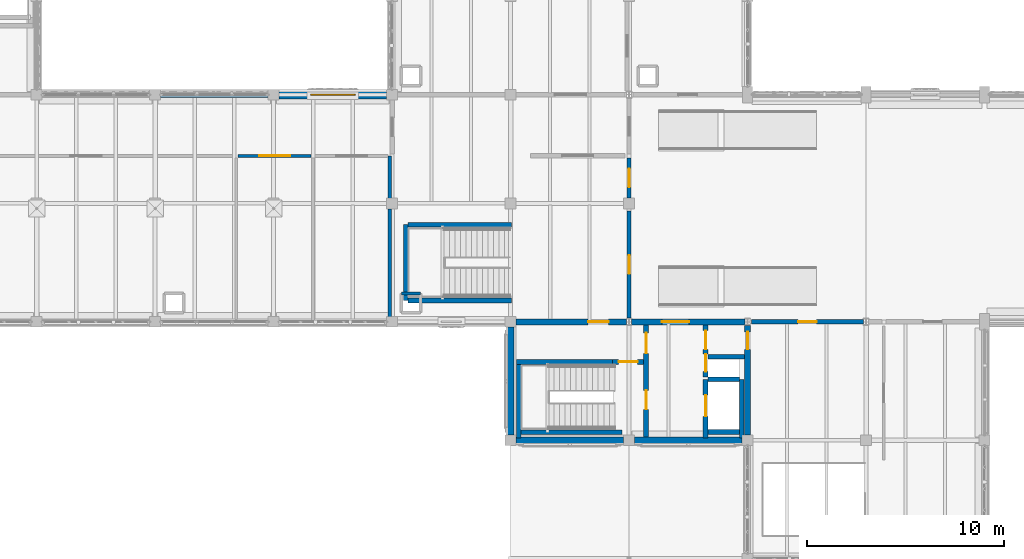
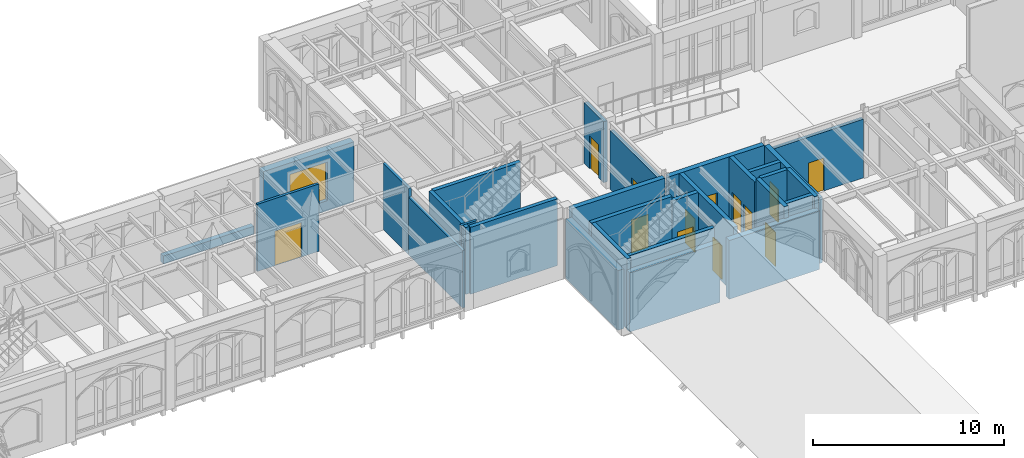
# One storey, part 76 of 108: 29 walls, 13 doors, 1 window, 14 openings.
"""IFC4 building model written with IfcOpenShell, lengths in metres."""

from ifc_helpers import new_model, si_unit, direction, frame, frame_2d, origin, place, context, subcontext, project, spatial, rectangle, extrude, material, layer, layer_set, type_object, element, fill, save


model = new_model("IFC4")

# Units and contexts
model_context = context("Model", 3, precision=1e-05, world=origin(), true_north=direction((0.0, 1.0)))
body_context = subcontext(model_context, "Body", "Model", "MODEL_VIEW")
ifc_project = project(units=[si_unit("LENGTHUNIT", "METRE"), si_unit("AREAUNIT", "SQUARE_METRE"), si_unit("VOLUMEUNIT", "CUBIC_METRE"), si_unit("PLANEANGLEUNIT", "RADIAN"), si_unit("MASSUNIT", "GRAM", prefix="KILO")], contexts=[model_context])

# Site, building, storey
site_placement = place(None, origin())
site = spatial("IfcSite", under=ifc_project, at=site_placement, CompositionType="ELEMENT")
building_placement = place(site_placement, origin())
building = spatial("IfcBuilding", under=site, at=building_placement, Name="Cumevento Cable Car Station", CompositionType="ELEMENT")
storey_placement = place(building_placement, frame((0.0, 0.0, 13.5)))
storey = spatial("IfcBuildingStorey", under=building, at=storey_placement, Name="L04", CompositionType="ELEMENT", Elevation=13.5)

# Walls
ifc_material_1 = material(Name="Gnaisse Facoidal Stone Ashlar 85 MPa", Category="masonry")
ifc_layer_1 = layer(ifc_material_1, 0.294921875)
ifc_layer_set_1 = layer_set([ifc_layer_1], Name="Gnaisse Facoidal Stone Ashlar 85 MPa")
wall_type_1 = type_object("IfcWallType", Name="Exterior Envelope Wall EW-295 295", PredefinedType="SOLIDWALL", material=ifc_layer_set_1)
wall_1_placement = place(storey_placement, frame((40.27490234375, 56.5, 0.0), z_axis=(0.0, 0.0, 1.0), x_axis=(1.0, 0.0, 0.0)))
element("IfcWall", 1, at=wall_1_placement, inside=storey, type_object=wall_type_1, Name="Exterior Sill Curb Wall EW-295 L04 #320", PredefinedType="SOLIDWALL", context=body_context, shape_type="SweptSolid", body=[
    extrude(rectangle(XDim=5.4501953125, YDim=0.294921875, at=frame_2d((2.72509765625, 0.0))), origin(), (0.0, 0.0, 1.0), 0.52001953125),
])
ifc_material_2 = material(Name="Concrete C40/50", Category="concrete")
ifc_layer_2 = layer(ifc_material_2, 0.35498046875)
ifc_layer_set_2 = layer_set([ifc_layer_2], Name="Concrete C40/50")
wall_type_2 = type_object("IfcWallType", Name="Exterior Envelope Wall EW-355 355", PredefinedType="SOLIDWALL", material=ifc_layer_set_2)
wall_2_placement = place(storey_placement, frame((63.72509765625, 39.0, 0.0), z_axis=(0.0, 0.0, 1.0), x_axis=(-1.0, 0.0, 0.0)))
element("IfcWall", 2, at=wall_2_placement, inside=storey, type_object=wall_type_2, Name="Exterior Wall EW-355 L04 #297", PredefinedType="SOLIDWALL", context=body_context, shape_type="SweptSolid", body=[
    extrude(rectangle(XDim=5.4501953125, YDim=0.35498046875, at=frame_2d((2.72509765625, 0.0))), origin(), (0.0, 0.0, 1.0), 3.791015625),
])
wall_3_placement = place(storey_placement, frame((69.72509765625, 39.0, 0.0), z_axis=(0.0, 0.0, 1.0), x_axis=(-1.0, 0.0, 0.0)))
element("IfcWall", 3, at=wall_3_placement, inside=storey, type_object=wall_type_2, Name="Exterior Wall EW-355 L04 #298", PredefinedType="SOLIDWALL", context=body_context, shape_type="SweptSolid", body=[
    extrude(rectangle(XDim=5.4501953125, YDim=0.35498046875, at=frame_2d((2.72509765625, 0.0))), origin(), (0.0, 0.0, 1.0), 3.740966796875),
])
wall_4_placement = place(storey_placement, frame((58.0, 39.27490234375, 0.0), z_axis=(0.0, 0.0, 1.0), x_axis=(0.0, 1.0, 0.0)))
element("IfcWall", 4, at=wall_4_placement, inside=storey, type_object=wall_type_2, Name="Exterior Wall EW-355 L04 #299", PredefinedType="SOLIDWALL", context=body_context, shape_type="SweptSolid", body=[
    extrude(rectangle(XDim=5.4501953125, YDim=0.35498046875, at=frame_2d((2.72509765625, 0.0))), origin(), (0.0, 0.0, 1.0), 3.797119140625),
])

# Wall, opening, window
ifc_material_3 = material(Name="Gnaisse Facoidal Stone Ashlar 85 MPa", Category="masonry")
ifc_layer_3 = layer(ifc_material_3, 0.4150390625)
ifc_layer_set_3 = layer_set([ifc_layer_3], Name="Gnaisse Facoidal Stone Ashlar 85 MPa")
wall_type_3 = type_object("IfcWallType", Name="Exterior Envelope Wall EW-415 415", PredefinedType="SOLIDWALL", material=ifc_layer_set_3)
wall_5_placement = place(storey_placement, frame((46.27490234375, 56.5, 0.0), z_axis=(0.0, 0.0, 1.0), x_axis=(1.0, 0.0, 0.0)))
wall_5 = element("IfcWall", 5, at=wall_5_placement, inside=storey, type_object=wall_type_3, Name="Exterior Wall EW-415 L04 #322", PredefinedType="SOLIDWALL", context=body_context, shape_type="SweptSolid", body=[
    extrude(rectangle(XDim=5.4501953125, YDim=0.4150390625, at=frame_2d((2.72509765625, 0.0))), origin(), (0.0, 0.0, 1.0), 3.843017578125),
])
opening_1_placement = place(wall_5_placement, frame((1.60009765625, 0.0, 0.64990234375)))
opening_1 = element("IfcOpeningElement", 6, at=opening_1_placement, cuts=wall_5, Name="Opening WN-L04-087", PredefinedType="OPENING", context=body_context, shape_type="SweptSolid", body=[
    extrude(rectangle(XDim=2.25, YDim=2.449951171875, at=frame_2d((1.125, 1.22509765625))), frame((0.0, 0.217529296875, 0.0), z_axis=(0.0, -1.0, 0.0), x_axis=(1.0, 0.0, 0.0)), (0.0, 0.0, 1.0), 0.43505859375),
])
ifc_material_4 = material(Name="Anodised Bronze Aluminium & Laminated Solar Glass", Category="aluminium")
window_type = type_object("IfcWindowType", Name="Lancet Window WN-15 2250x2450", PartitioningType="DOUBLE_PANEL_VERTICAL", PredefinedType="WINDOW", material=ifc_material_4)
window_placement = place(opening_1_placement, origin())
window = element("IfcWindow", 7, at=window_placement, inside=storey, type_object=window_type, Name="Lancet Window WN-L04-087 (WN-15)", OverallHeight=2.449951171875, OverallWidth=2.25, PartitioningType="SINGLE_PANEL", PredefinedType="WINDOW", context=body_context, shape_type="SweptSolid", body=[
    extrude(rectangle(XDim=2.25, YDim=2.449951171875, at=frame_2d((1.125, 1.22509765625))), frame((0.0, 0.030029296875, 0.0), z_axis=(0.0, -1.0, 0.0), x_axis=(1.0, 0.0, 0.0)), (0.0, 0.0, 1.0), 0.06005859375),
])
fill(opening_1, window)

# Wall, opening, door
ifc_material_5 = material(Name="Concrete C40/50", Category="concrete")
ifc_layer_4 = layer(ifc_material_5, 0.219970703125)
ifc_layer_set_4 = layer_set([ifc_layer_4], Name="Concrete C40/50")
wall_type_4 = type_object("IfcWallType", Name="Interior Partition FW-220 220", PredefinedType="SOLIDWALL", material=ifc_layer_set_4)
wall_6_placement = place(storey_placement, frame((70.199951171875, 45.0, 0.0), z_axis=(0.0, 0.0, 1.0), x_axis=(1.0, 0.0, 0.0)))
wall_6 = element("IfcWall", 8, at=wall_6_placement, inside=storey, type_object=wall_type_4, Name="Interior Wall FW-220 L04 #690", PredefinedType="SOLIDWALL", context=body_context, shape_type="SweptSolid", body=[
    extrude(rectangle(XDim=5.66943359375, YDim=0.219970703125, at=frame_2d((2.834716796875, 0.0))), origin(), (0.0, 0.0, 1.0), 3.7470703125),
])
opening_2_placement = place(wall_6_placement, frame((2.36474609375, 0.0, 0.0)))
opening_2 = element("IfcOpeningElement", 9, at=opening_2_placement, cuts=wall_6, Name="Opening DR-L04-277", PredefinedType="OPENING", context=body_context, shape_type="SweptSolid", body=[
    extrude(rectangle(XDim=0.93994140625, YDim=2.10009765625, at=frame_2d((0.469970703125, 1.050048828125))), frame((0.0, 0.119873046875, 0.0), z_axis=(0.0, -1.0, 0.0), x_axis=(1.0, 0.0, 0.0)), (0.0, 0.0, 1.0), 0.239990234375),
])
ifc_material_6 = material(Name="Galvanised Painted Steel Fire Door", Category="steel")
door_type_1 = type_object("IfcDoorType", Name="Interior Door FD-08 940x2100", OperationType="NOTDEFINED", PredefinedType="DOOR", material=ifc_material_6)
door_1_placement = place(opening_2_placement, origin())
door_1 = element("IfcDoor", 10, at=door_1_placement, inside=storey, type_object=door_type_1, Name="Interior Door DR-L04-277 (FD-08)", OperationType="SINGLE_SWING_LEFT", OverallHeight=2.10009765625, OverallWidth=0.93994140625, PredefinedType="DOOR", context=body_context, shape_type="SweptSolid", body=[
    extrude(rectangle(XDim=0.93994140625, YDim=2.10009765625, at=frame_2d((0.469970703125, 1.050048828125))), frame((0.0, 0.02490234375, 0.0), z_axis=(0.0, -1.0, 0.0), x_axis=(1.0, 0.0, 0.0)), (0.0, 0.0, 1.0), 0.050048828125),
])
fill(opening_2, door_1)

wall_7_placement = place(storey_placement, frame((64.0, 45.199951171875, 0.0), z_axis=(0.0, 0.0, 1.0), x_axis=(0.0, 1.0, 0.0)))
wall_7 = element("IfcWall", 11, at=wall_7_placement, inside=storey, type_object=wall_type_4, Name="Interior Wall FW-220 L04 #706", PredefinedType="SOLIDWALL", context=body_context, shape_type="SweptSolid", body=[
    extrude(rectangle(XDim=5.400146484375, YDim=0.219970703125, at=frame_2d((2.7001953125, 0.0))), origin(), (0.0, 0.0, 1.0), 3.7470703125),
])
opening_3_placement = place(wall_7_placement, frame((2.22998046875, 0.0, 0.0)))
opening_3 = element("IfcOpeningElement", 12, at=opening_3_placement, cuts=wall_7, Name="Opening DR-L04-286", PredefinedType="OPENING", context=body_context, shape_type="SweptSolid", body=[
    extrude(rectangle(XDim=0.93994140625, YDim=2.10009765625, at=frame_2d((0.469970703125, 1.050048828125))), frame((0.0, 0.119873046875, 0.0), z_axis=(0.0, -1.0, 0.0), x_axis=(1.0, 0.0, 0.0)), (0.0, 0.0, 1.0), 0.239990234375),
])
door_2_placement = place(opening_3_placement, origin())
door_2 = element("IfcDoor", 13, at=door_2_placement, inside=storey, type_object=door_type_1, Name="Interior Door DR-L04-286 (FD-08)", OperationType="SINGLE_SWING_LEFT", OverallHeight=2.10009765625, OverallWidth=0.93994140625, PredefinedType="DOOR", context=body_context, shape_type="SweptSolid", body=[
    extrude(rectangle(XDim=0.93994140625, YDim=2.10009765625, at=frame_2d((0.469970703125, 1.050048828125))), frame((0.0, 0.02490234375, 0.0), z_axis=(0.0, -1.0, 0.0), x_axis=(1.0, 0.0, 0.0)), (0.0, 0.0, 1.0), 0.050048828125),
])
fill(opening_3, door_2)

wall_8_placement = place(storey_placement, frame((64.0, 51.277099609375, 0.0), z_axis=(0.0, 0.0, 1.0), x_axis=(0.0, 1.0, 0.0)))
wall_8 = element("IfcWall", 14, at=wall_8_placement, inside=storey, type_object=wall_type_4, Name="Interior Wall FW-220 L04 #707", PredefinedType="SOLIDWALL", context=body_context, shape_type="SweptSolid", body=[
    extrude(rectangle(XDim=2.02294921875, YDim=0.219970703125, at=frame_2d((1.011474609375, 0.0))), origin(), (0.0, 0.0, 1.0), 3.89599609375),
])
opening_4_placement = place(wall_8_placement, frame((0.54150390625, 0.0, 0.0)))
opening_4 = element("IfcOpeningElement", 15, at=opening_4_placement, cuts=wall_8, Name="Opening DR-L04-287", PredefinedType="OPENING", context=body_context, shape_type="SweptSolid", body=[
    extrude(rectangle(XDim=0.93994140625, YDim=2.10009765625, at=frame_2d((0.469970703125, 1.050048828125))), frame((0.0, 0.119873046875, 0.0), z_axis=(0.0, -1.0, 0.0), x_axis=(1.0, 0.0, 0.0)), (0.0, 0.0, 1.0), 0.239990234375),
])
door_3_placement = place(opening_4_placement, origin())
door_3 = element("IfcDoor", 16, at=door_3_placement, inside=storey, type_object=door_type_1, Name="Interior Door DR-L04-287 (FD-08)", OperationType="SINGLE_SWING_RIGHT", OverallHeight=2.10009765625, OverallWidth=0.93994140625, PredefinedType="DOOR", context=body_context, shape_type="SweptSolid", body=[
    extrude(rectangle(XDim=0.93994140625, YDim=2.10009765625, at=frame_2d((0.469970703125, 1.050048828125))), frame((0.0, 0.02490234375, 0.0), z_axis=(0.0, -1.0, 0.0), x_axis=(1.0, 0.0, 0.0)), (0.0, 0.0, 1.0), 0.050048828125),
])
fill(opening_4, door_3)

# Wall
ifc_material_7 = material(Name="Gypsum Board & Insulated Stud Partition", Category="gypsum")
ifc_layer_5 = layer(ifc_material_7, 0.14501953125)
ifc_layer_set_5 = layer_set([ifc_layer_5], Name="Gypsum Board & Insulated Stud Partition")
wall_type_5 = type_object("IfcWallType", Name="Interior Partition PT-145 145", PredefinedType="PARTITIONING", material=ifc_layer_set_5)
wall_9_placement = place(storey_placement, frame((53.429931640625, 46.429931640625, 0.0), z_axis=(0.0, 0.0, 1.0), x_axis=(-1.0, 0.0, 0.0)))
element("IfcWall", 17, at=wall_9_placement, inside=storey, type_object=wall_type_5, Name="Interior Wall PT-145 L04 #63", PredefinedType="PARTITIONING", context=body_context, shape_type="SweptSolid", body=[
    extrude(rectangle(XDim=0.9599609375, YDim=0.14501953125, at=frame_2d((0.47998046875, 0.0))), origin(), (0.0, 0.0, 1.0), 4.263916015625),
])

# Wall, opening, door
ifc_material_8 = material(Name="Gypsum Board & Insulated Stud Partition", Category="gypsum")
ifc_layer_6 = layer(ifc_material_8, 0.155029296875)
ifc_layer_set_6 = layer_set([ifc_layer_6], Name="Gypsum Board & Insulated Stud Partition")
wall_type_6 = type_object("IfcWallType", Name="Interior Partition PT-155 155", PredefinedType="PARTITIONING", material=ifc_layer_set_6)
wall_10_placement = place(storey_placement, frame((44.199951171875, 53.39990234375, 0.0), z_axis=(0.0, 0.0, 1.0), x_axis=(1.0, 0.0, 0.0)))
wall_10 = element("IfcWall", 18, at=wall_10_placement, inside=storey, type_object=wall_type_6, Name="Interior Wall PT-155 L04 #700", PredefinedType="PARTITIONING", context=body_context, shape_type="SweptSolid", body=[
    extrude(rectangle(XDim=3.699951171875, YDim=0.155029296875, at=frame_2d((1.85009765625, 0.0))), origin(), (0.0, 0.0, 1.0), 4.2880859375),
])
opening_5_placement = place(wall_10_placement, frame((1.06005859375, 0.0, 0.0)))
opening_5 = element("IfcOpeningElement", 19, at=opening_5_placement, cuts=wall_10, Name="Opening DR-L04-281", PredefinedType="OPENING", context=body_context, shape_type="SweptSolid", body=[
    extrude(rectangle(XDim=1.580078125, YDim=2.199951171875, at=frame_2d((0.7900390625, 1.10009765625))), frame((0.0, 0.087646484375, 0.0), z_axis=(0.0, -1.0, 0.0), x_axis=(1.0, 0.0, 0.0)), (0.0, 0.0, 1.0), 0.175048828125),
])
ifc_material_9 = material(Name="Galvanised Painted Steel Fire Door", Category="steel")
door_type_2 = type_object("IfcDoorType", Name="Interior Door FD-06 1580x2200", OperationType="NOTDEFINED", PredefinedType="DOOR", material=ifc_material_9)
door_4_placement = place(opening_5_placement, origin())
door_4 = element("IfcDoor", 20, at=door_4_placement, inside=storey, type_object=door_type_2, Name="Interior Door DR-L04-281 (FD-06)", OperationType="DOUBLE_DOOR_SINGLE_SWING", OverallHeight=2.199951171875, OverallWidth=1.580078125, PredefinedType="DOOR", context=body_context, shape_type="SweptSolid", body=[
    extrude(rectangle(XDim=1.580078125, YDim=2.199951171875, at=frame_2d((0.7900390625, 1.10009765625))), frame((0.0, 0.02490234375, 0.0), z_axis=(0.0, -1.0, 0.0), x_axis=(1.0, 0.0, 0.0)), (0.0, 0.0, 1.0), 0.050048828125),
])
fill(opening_5, door_4)

# Walls
ifc_material_10 = material(Name="Moisture-Resistant Tile & Stud Partition", Category="gypsum")
ifc_layer_7 = layer(ifc_material_10, 0.175048828125)
ifc_layer_set_7 = layer_set([ifc_layer_7], Name="Moisture-Resistant Tile & Stud Partition")
wall_type_7 = type_object("IfcWallType", Name="Interior Partition PT-175 175", PredefinedType="PARTITIONING", material=ifc_layer_set_7)
wall_11_placement = place(storey_placement, frame((51.889892578125, 45.10009765625, 0.0), z_axis=(0.0, 0.0, 1.0), x_axis=(0.0, 1.0, 0.0)))
element("IfcWall", 21, at=wall_11_placement, inside=storey, type_object=wall_type_7, Name="Interior Wall PT-175 L04 #748", PredefinedType="PARTITIONING", context=body_context, shape_type="SweptSolid", body=[
    extrude(rectangle(XDim=5.625, YDim=0.175048828125, at=frame_2d((2.8125, 0.0))), origin(), (0.0, 0.0, 1.0), 3.656005859375),
])
wall_12_placement = place(storey_placement, frame((51.889892578125, 50.72509765625, 0.0), z_axis=(0.0, 0.0, 1.0), x_axis=(0.0, 1.0, 0.0)))
element("IfcWall", 22, at=wall_12_placement, inside=storey, type_object=wall_type_7, Name="Interior Wall PT-175 L04 #748.2", PredefinedType="PARTITIONING", context=body_context, shape_type="SweptSolid", body=[
    extrude(rectangle(XDim=2.6748046875, YDim=0.175048828125, at=frame_2d((1.33740234375, 0.0))), origin(), (0.0, 0.0, 1.0), 4.2041015625),
])
ifc_material_11 = material(Name="Concrete C40/50", Category="concrete")
ifc_layer_8 = layer(ifc_material_11, 0.22998046875)
ifc_layer_set_8 = layer_set([ifc_layer_8], Name="Concrete C40/50")
wall_type_8 = type_object("IfcWallType", Name="Interior Shear Wall CW-230 230", PredefinedType="SHEAR", material=ifc_layer_set_8)
wall_13_placement = place(storey_placement, frame((58.405029296875, 39.114990234375, 0.0), z_axis=(0.0, 0.0, 1.0), x_axis=(0.0, 1.0, 0.0)))
element("IfcWall", 23, at=wall_13_placement, inside=storey, type_object=wall_type_8, Name="Interior Wall CW-230 L04 #188", PredefinedType="SHEAR", context=body_context, shape_type="SweptSolid", body=[
    extrude(rectangle(XDim=3.735107421875, YDim=0.22998046875, at=frame_2d((1.86767578125, 0.0))), origin(), (0.0, 0.0, 1.0), 4.5),
])
wall_14_placement = place(storey_placement, frame((58.52001953125, 39.405029296875, 0.0), z_axis=(0.0, 0.0, 1.0), x_axis=(1.0, 0.0, 0.0)))
element("IfcWall", 24, at=wall_14_placement, inside=storey, type_object=wall_type_8, Name="Interior Wall CW-230 L04 #189", PredefinedType="SHEAR", context=body_context, shape_type="SweptSolid", body=[
    extrude(rectangle(XDim=5.1298828125, YDim=0.22998046875, at=frame_2d((2.56494140625, 0.0))), origin(), (0.0, 0.0, 1.0), 4.5),
])
wall_15_placement = place(storey_placement, frame((68.0048828125, 39.419921875, 0.0), z_axis=(0.0, 0.0, 1.0), x_axis=(1.0, 0.0, 0.0)))
element("IfcWall", 25, at=wall_15_placement, inside=storey, type_object=wall_type_8, Name="Interior Wall CW-230 L04 #194", PredefinedType="SHEAR", context=body_context, shape_type="SweptSolid", body=[
    extrude(rectangle(XDim=1.580078125, YDim=0.22998046875, at=frame_2d((0.7900390625, 0.0))), origin(), (0.0, 0.0, 1.0), 4.5),
])
wall_16_placement = place(storey_placement, frame((69.699951171875, 39.114990234375, 0.0), z_axis=(0.0, 0.0, 1.0), x_axis=(0.0, 1.0, 0.0)))
element("IfcWall", 26, at=wall_16_placement, inside=storey, type_object=wall_type_8, Name="Interior Wall CW-230 L04 #195", PredefinedType="SHEAR", context=body_context, shape_type="SweptSolid", body=[
    extrude(rectangle(XDim=2.965087890625, YDim=0.22998046875, at=frame_2d((1.482421875, 0.0))), origin(), (0.0, 0.0, 1.0), 4.5),
])
wall_17_placement = place(storey_placement, frame((68.0048828125, 42.080078125, 0.0), z_axis=(0.0, 0.0, 1.0), x_axis=(1.0, 0.0, 0.0)))
element("IfcWall", 27, at=wall_17_placement, inside=storey, type_object=wall_type_8, Name="Interior Wall CW-230 L04 #196", PredefinedType="SHEAR", context=body_context, shape_type="SweptSolid", body=[
    extrude(rectangle(XDim=1.580078125, YDim=0.22998046875, at=frame_2d((0.7900390625, 0.0))), origin(), (0.0, 0.0, 1.0), 4.5),
])
wall_18_placement = place(storey_placement, frame((68.0048828125, 43.219970703125, 0.0), z_axis=(0.0, 0.0, 1.0), x_axis=(1.0, 0.0, 0.0)))
element("IfcWall", 28, at=wall_18_placement, inside=storey, type_object=wall_type_8, Name="Interior Wall CW-230 L04 #198", PredefinedType="SHEAR", context=body_context, shape_type="SweptSolid", body=[
    extrude(rectangle(XDim=1.84521484375, YDim=0.22998046875, at=frame_2d((0.922607421875, 0.0))), origin(), (0.0, 0.0, 1.0), 4.2041015625),
])
wall_19_placement = place(storey_placement, frame((52.679931640625, 46.080078125, 0.0), z_axis=(0.0, 0.0, 1.0), x_axis=(0.0, 1.0, 0.0)))
element("IfcWall", 29, at=wall_19_placement, inside=storey, type_object=wall_type_8, Name="Interior Wall CW-230 L04 #542", PredefinedType="SHEAR", context=body_context, shape_type="SweptSolid", body=[
    extrude(rectangle(XDim=3.83984375, YDim=0.22998046875, at=frame_2d((1.919921875, 0.0))), origin(), (0.0, 0.0, 1.0), 4.263916015625),
])
for number, where, z_axis, x_axis, name in (
    (30, (52.800048828125, 46.080078125, 0.0), (0.0, 0.0, 1.0), (1.0, 0.0, 0.0), "Interior Wall CW-230 L04 #543"),
    (31, (52.800048828125, 49.919921875, 0.0), (0.0, 0.0, 1.0), (1.0, 0.0, 0.0), "Interior Wall CW-230 L04 #544"),
):
    element("IfcWall", number, at=place(storey_placement, frame(where, z_axis=z_axis, x_axis=x_axis)), inside=storey, type_object=wall_type_8, Name=name, PredefinedType="SHEAR", context=body_context, shape_type="SweptSolid", body=[
        extrude(rectangle(XDim=5.239990234375, YDim=0.22998046875, at=frame_2d((2.6201171875, 0.0))), origin(), (0.0, 0.0, 1.0), 4.263916015625),
    ])
ifc_material_12 = material(Name="Concrete C40/50", Category="concrete")
ifc_layer_9 = layer(ifc_material_12, 0.25)
ifc_layer_set_9 = layer_set([ifc_layer_9], Name="Concrete C40/50")
wall_type_9 = type_object("IfcWallType", Name="Interior Shear Wall CW-250 250", PredefinedType="SHEAR", material=ifc_layer_set_9)
wall_20_placement = place(storey_placement, frame((58.2900390625, 42.97509765625, 0.0), z_axis=(0.0, 0.0, 1.0), x_axis=(1.0, 0.0, 0.0)))
element("IfcWall", 32, at=wall_20_placement, inside=storey, type_object=wall_type_9, Name="Interior Wall CW-250 L04 #190", PredefinedType="SHEAR", context=body_context, shape_type="SweptSolid", body=[
    extrude(rectangle(XDim=4.869873046875, YDim=0.25, at=frame_2d((2.43505859375, 0.0))), origin(), (0.0, 0.0, 1.0), 4.5),
])

# Wall, opening, door
wall_21_placement = place(storey_placement, frame((63.159912109375, 42.97509765625, 0.0), z_axis=(0.0, 0.0, 1.0), x_axis=(1.0, 0.0, 0.0)))
wall_21 = element("IfcWall", 33, at=wall_21_placement, inside=storey, type_object=wall_type_9, Name="Interior Wall CW-250 L04 #191", PredefinedType="SHEAR", context=body_context, shape_type="SweptSolid", body=[
    extrude(rectangle(XDim=1.580078125, YDim=0.25, at=frame_2d((0.7900390625, 0.0))), origin(), (0.0, 0.0, 1.0), 4.2041015625),
])
opening_6_placement = place(wall_21_placement, frame((0.31005859375, 0.0, 0.0)))
opening_6 = element("IfcOpeningElement", 34, at=opening_6_placement, cuts=wall_21, Name="Opening DR-L04-030", PredefinedType="OPENING", context=body_context, shape_type="SweptSolid", body=[
    extrude(rectangle(XDim=0.9599609375, YDim=2.1201171875, at=frame_2d((0.47998046875, 1.06005859375))), frame((0.0, 0.135009765625, 0.0), z_axis=(0.0, -1.0, 0.0), x_axis=(1.0, 0.0, 0.0)), (0.0, 0.0, 1.0), 0.27001953125),
])
ifc_material_13 = material(Name="Galvanised Painted Steel Fire Door", Category="steel")
door_type_3 = type_object("IfcDoorType", Name="Interior Door FD-01 960x2120", OperationType="NOTDEFINED", PredefinedType="DOOR", material=ifc_material_13)
door_5_placement = place(opening_6_placement, origin())
door_5 = element("IfcDoor", 35, at=door_5_placement, inside=storey, type_object=door_type_3, Name="Stair ST-01 Enclosure Door L04", OperationType="SINGLE_SWING_LEFT", OverallHeight=2.1201171875, OverallWidth=0.9599609375, PredefinedType="DOOR", context=body_context, shape_type="SweptSolid", body=[
    extrude(rectangle(XDim=0.9599609375, YDim=2.1201171875, at=frame_2d((0.47998046875, 1.06005859375))), frame((0.0, 0.02490234375, 0.0), z_axis=(0.0, -1.0, 0.0), x_axis=(1.0, 0.0, 0.0)), (0.0, 0.0, 1.0), 0.050048828125),
])
fill(opening_6, door_5)

# Wall, openings, doors
wall_22_placement = place(storey_placement, frame((64.864990234375, 39.175048828125, 0.0), z_axis=(0.0, 0.0, 1.0), x_axis=(0.0, 1.0, 0.0)))
wall_22 = element("IfcWall", 36, at=wall_22_placement, inside=storey, type_object=wall_type_9, Name="Interior Wall CW-250 L04 #192", PredefinedType="SHEAR", context=body_context, shape_type="SweptSolid", body=[
    extrude(rectangle(XDim=5.675048828125, YDim=0.25, at=frame_2d((2.83740234375, 0.0))), origin(), (0.0, 0.0, 1.0), 4.2041015625),
])
opening_7_placement = place(wall_22_placement, frame((4.22509765625, 0.0, 0.0)))
opening_7 = element("IfcOpeningElement", 37, at=opening_7_placement, cuts=wall_22, Name="Opening DR-L04-031", PredefinedType="OPENING", context=body_context, shape_type="SweptSolid", body=[
    extrude(rectangle(XDim=1.0400390625, YDim=2.139892578125, at=frame_2d((0.52001953125, 1.06982421875))), frame((0.0, 0.135009765625, 0.0), z_axis=(0.0, -1.0, 0.0), x_axis=(1.0, 0.0, 0.0)), (0.0, 0.0, 1.0), 0.27001953125),
])
opening_8_placement = place(wall_22_placement, frame((1.39501953125, 0.0, 0.0)))
opening_8 = element("IfcOpeningElement", 38, at=opening_8_placement, cuts=wall_22, Name="Opening DR-L04-032", PredefinedType="OPENING", context=body_context, shape_type="SweptSolid", body=[
    extrude(rectangle(XDim=0.9599609375, YDim=2.1201171875, at=frame_2d((0.47998046875, 1.06005859375))), frame((0.0, 0.135009765625, 0.0), z_axis=(0.0, -1.0, 0.0), x_axis=(1.0, 0.0, 0.0)), (0.0, 0.0, 1.0), 0.27001953125),
])
door_6_placement = place(opening_8_placement, origin())
door_6 = element("IfcDoor", 39, at=door_6_placement, inside=storey, type_object=door_type_3, Name="Firefighting Lobby Direct Stair Door L04", OperationType="SINGLE_SWING_LEFT", OverallHeight=2.1201171875, OverallWidth=0.9599609375, PredefinedType="DOOR", context=body_context, shape_type="SweptSolid", body=[
    extrude(rectangle(XDim=0.9599609375, YDim=2.1201171875, at=frame_2d((0.47998046875, 1.06005859375))), frame((0.0, 0.02490234375, 0.0), z_axis=(0.0, -1.0, 0.0), x_axis=(1.0, 0.0, 0.0)), (0.0, 0.0, 1.0), 0.050048828125),
])
fill(opening_8, door_6)
ifc_material_14 = material(Name="Galvanised Painted Steel Fire Door", Category="steel")
door_type_4 = type_object("IfcDoorType", Name="Interior Door FD-02 1040x2140", OperationType="NOTDEFINED", PredefinedType="DOOR", material=ifc_material_14)
door_7_placement = place(opening_7_placement, origin())
door_7 = element("IfcDoor", 40, at=door_7_placement, inside=storey, type_object=door_type_4, Name="Lobby Vestibule Door CORE1 L04", OperationType="SINGLE_SWING_RIGHT", OverallHeight=2.139892578125, OverallWidth=1.0400390625, PredefinedType="DOOR", context=body_context, shape_type="SweptSolid", body=[
    extrude(rectangle(XDim=1.0400390625, YDim=2.139892578125, at=frame_2d((0.52001953125, 1.06982421875))), frame((0.0, 0.02490234375, 0.0), z_axis=(0.0, -1.0, 0.0), x_axis=(1.0, 0.0, 0.0)), (0.0, 0.0, 1.0), 0.050048828125),
])
fill(opening_7, door_7)

# Wall, opening, door
wall_23_placement = place(storey_placement, frame((67.8798828125, 39.114990234375, 0.0), z_axis=(0.0, 0.0, 1.0), x_axis=(0.0, 1.0, 0.0)))
wall_23 = element("IfcWall", 41, at=wall_23_placement, inside=storey, type_object=wall_type_9, Name="Interior Wall CW-250 L04 #193", PredefinedType="SHEAR", context=body_context, shape_type="SweptSolid", body=[
    extrude(rectangle(XDim=2.965087890625, YDim=0.25, at=frame_2d((1.482421875, 0.0))), origin(), (0.0, 0.0, 1.0), 4.5),
])
opening_9_placement = place(wall_23_placement, frame((1.094970703125, 0.0, 0.0)))
opening_9 = element("IfcOpeningElement", 42, at=opening_9_placement, cuts=wall_23, Name="Opening LD-LF01-L04", PredefinedType="OPENING", context=body_context, shape_type="SweptSolid", body=[
    extrude(rectangle(XDim=1.080078125, YDim=2.14990234375, at=frame_2d((0.5400390625, 1.074951171875))), frame((0.0, 0.135009765625, 0.0), z_axis=(0.0, -1.0, 0.0), x_axis=(1.0, 0.0, 0.0)), (0.0, 0.0, 1.0), 0.27001953125),
])
ifc_material_15 = material(Name="Brushed Stainless Steel Lift Door", Category="steel")
door_type_5 = type_object("IfcDoorType", Name="Interior Door LD-01 1080x2150", OperationType="NOTDEFINED", PredefinedType="DOOR", material=ifc_material_15)
door_8_placement = place(opening_9_placement, origin())
door_8 = element("IfcDoor", 43, at=door_8_placement, inside=storey, type_object=door_type_5, Name="Lift Landing Door LD-LF01-L04", OperationType="DOUBLE_DOOR_SLIDING", OverallHeight=2.14990234375, OverallWidth=1.080078125, PredefinedType="DOOR", context=body_context, shape_type="SweptSolid", body=[
    extrude(rectangle(XDim=1.080078125, YDim=2.14990234375, at=frame_2d((0.5400390625, 1.074951171875))), frame((0.0, 0.02490234375, 0.0), z_axis=(0.0, -1.0, 0.0), x_axis=(1.0, 0.0, 0.0)), (0.0, 0.0, 1.0), 0.050048828125),
])
fill(opening_9, door_8)

# Wall, openings, doors
wall_24_placement = place(storey_placement, frame((67.8798828125, 42.199951171875, 0.0), z_axis=(0.0, 0.0, 1.0), x_axis=(0.0, 1.0, 0.0)))
wall_24 = element("IfcWall", 44, at=wall_24_placement, inside=storey, type_object=wall_type_9, Name="Interior Wall CW-250 L04 #197", PredefinedType="SHEAR", context=body_context, shape_type="SweptSolid", body=[
    extrude(rectangle(XDim=2.650146484375, YDim=0.25, at=frame_2d((1.3251953125, 0.0))), origin(), (0.0, 0.0, 1.0), 4.2041015625),
])
opening_10_placement = place(wall_24_placement, frame((0.280029296875, 0.0, 0.0)))
opening_10 = element("IfcOpeningElement", 45, at=opening_10_placement, cuts=wall_24, Name="Opening DR-L04-034", PredefinedType="OPENING", context=body_context, shape_type="SweptSolid", body=[
    extrude(rectangle(XDim=0.8798828125, YDim=2.080078125, at=frame_2d((0.43994140625, 1.0400390625))), frame((0.0, 0.135009765625, 0.0), z_axis=(0.0, -1.0, 0.0), x_axis=(1.0, 0.0, 0.0)), (0.0, 0.0, 1.0), 0.27001953125),
])
opening_11_placement = place(wall_24_placement, frame((1.39990234375, 0.0, 0.0)))
opening_11 = element("IfcOpeningElement", 46, at=opening_11_placement, cuts=wall_24, Name="Opening DR-L04-035", PredefinedType="OPENING", context=body_context, shape_type="SweptSolid", body=[
    extrude(rectangle(XDim=0.9599609375, YDim=2.1201171875, at=frame_2d((0.47998046875, 1.06005859375))), frame((0.0, 0.135009765625, 0.0), z_axis=(0.0, -1.0, 0.0), x_axis=(1.0, 0.0, 0.0)), (0.0, 0.0, 1.0), 0.27001953125),
])
door_9_placement = place(opening_11_placement, origin())
door_9 = element("IfcDoor", 47, at=door_9_placement, inside=storey, type_object=door_type_3, Name="East Vestibule Lobby Door CORE1 L04", OperationType="SINGLE_SWING_LEFT", OverallHeight=2.1201171875, OverallWidth=0.9599609375, PredefinedType="DOOR", context=body_context, shape_type="SweptSolid", body=[
    extrude(rectangle(XDim=0.9599609375, YDim=2.1201171875, at=frame_2d((0.47998046875, 1.06005859375))), frame((0.0, 0.02490234375, 0.0), z_axis=(0.0, -1.0, 0.0), x_axis=(1.0, 0.0, 0.0)), (0.0, 0.0, 1.0), 0.050048828125),
])
fill(opening_11, door_9)
ifc_material_16 = material(Name="Galvanised Painted Steel Fire Door", Category="steel")
door_type_6 = type_object("IfcDoorType", Name="Interior Door FD-07 880x2080", OperationType="NOTDEFINED", PredefinedType="DOOR", material=ifc_material_16)
door_10_placement = place(opening_10_placement, origin())
door_10 = element("IfcDoor", 48, at=door_10_placement, inside=storey, type_object=door_type_6, Name="MEP Riser Access Door CORE1 L04", OperationType="SINGLE_SWING_RIGHT", OverallHeight=2.080078125, OverallWidth=0.8798828125, PredefinedType="DOOR", context=body_context, shape_type="SweptSolid", body=[
    extrude(rectangle(XDim=0.8798828125, YDim=2.080078125, at=frame_2d((0.43994140625, 1.0400390625))), frame((0.0, 0.02490234375, 0.0), z_axis=(0.0, -1.0, 0.0), x_axis=(1.0, 0.0, 0.0)), (0.0, 0.0, 1.0), 0.050048828125),
])
fill(opening_10, door_10)

# Wall, opening, door
ifc_material_17 = material(Name="Concrete C40/50", Category="concrete")
ifc_layer_10 = layer(ifc_material_17, 0.300048828125)
ifc_layer_set_10 = layer_set([ifc_layer_10], Name="Concrete C40/50")
wall_type_10 = type_object("IfcWallType", Name="Interior Shear Wall CW-300 300", PredefinedType="SHEAR", material=ifc_layer_set_10)
wall_25_placement = place(storey_placement, frame((58.27490234375, 45.0, 0.0), z_axis=(0.0, 0.0, 1.0), x_axis=(1.0, 0.0, 0.0)))
wall_25 = element("IfcWall", 49, at=wall_25_placement, inside=storey, type_object=wall_type_10, Name="Interior Wall CW-300 L04 #185", PredefinedType="SHEAR", context=body_context, shape_type="SweptSolid", body=[
    extrude(rectangle(XDim=5.5966796875, YDim=0.300048828125, at=frame_2d((2.79833984375, 0.0))), origin(), (0.0, 0.0, 1.0), 4.2041015625),
])
opening_12_placement = place(wall_25_placement, frame((3.655029296875, 0.0, 0.0)))
opening_12 = element("IfcOpeningElement", 50, at=opening_12_placement, cuts=wall_25, Name="Opening DR-L04-027", PredefinedType="OPENING", context=body_context, shape_type="SweptSolid", body=[
    extrude(rectangle(XDim=1.0400390625, YDim=2.139892578125, at=frame_2d((0.52001953125, 1.06982421875))), frame((0.0, 0.159912109375, 0.0), z_axis=(0.0, -1.0, 0.0), x_axis=(1.0, 0.0, 0.0)), (0.0, 0.0, 1.0), 0.320068359375),
])
door_11_placement = place(opening_12_placement, origin())
door_11 = element("IfcDoor", 51, at=door_11_placement, inside=storey, type_object=door_type_4, Name="Core CORE1 N_vest Fire Door L04", OperationType="SINGLE_SWING_LEFT", OverallHeight=2.139892578125, OverallWidth=1.0400390625, PredefinedType="DOOR", context=body_context, shape_type="SweptSolid", body=[
    extrude(rectangle(XDim=1.0400390625, YDim=2.139892578125, at=frame_2d((0.52001953125, 1.06982421875))), frame((0.0, 0.02490234375, 0.0), z_axis=(0.0, -1.0, 0.0), x_axis=(1.0, 0.0, 0.0)), (0.0, 0.0, 1.0), 0.050048828125),
])
fill(opening_12, door_11)

wall_26_placement = place(storey_placement, frame((64.12841796875, 45.0, 0.0), z_axis=(0.0, 0.0, 1.0), x_axis=(1.0, 0.0, 0.0)))
wall_26 = element("IfcWall", 52, at=wall_26_placement, inside=storey, type_object=wall_type_10, Name="Interior Wall CW-300 L04 #186", PredefinedType="SHEAR", context=body_context, shape_type="SweptSolid", body=[
    extrude(rectangle(XDim=5.7431640625, YDim=0.300048828125, at=frame_2d((2.87158203125, 0.0))), origin(), (0.0, 0.0, 1.0), 4.2041015625),
])
opening_13_placement = place(wall_26_placement, frame((1.531494140625, 0.0, 0.0)))
opening_13 = element("IfcOpeningElement", 53, at=opening_13_placement, cuts=wall_26, Name="Opening DR-L04-028", PredefinedType="OPENING", context=body_context, shape_type="SweptSolid", body=[
    extrude(rectangle(XDim=1.3798828125, YDim=2.159912109375, at=frame_2d((0.68994140625, 1.080078125))), frame((0.0, 0.159912109375, 0.0), z_axis=(0.0, -1.0, 0.0), x_axis=(1.0, 0.0, 0.0)), (0.0, 0.0, 1.0), 0.320068359375),
])
ifc_material_18 = material(Name="Galvanised Painted Steel Fire Door", Category="steel")
door_type_7 = type_object("IfcDoorType", Name="Interior Door FD-04 1380x2160", OperationType="NOTDEFINED", PredefinedType="DOOR", material=ifc_material_18)
door_12_placement = place(opening_13_placement, origin())
door_12 = element("IfcDoor", 54, at=door_12_placement, inside=storey, type_object=door_type_7, Name="Core CORE1 N_lobby Fire Door L04", OperationType="DOUBLE_DOOR_SINGLE_SWING", OverallHeight=2.159912109375, OverallWidth=1.3798828125, PredefinedType="DOOR", context=body_context, shape_type="SweptSolid", body=[
    extrude(rectangle(XDim=1.3798828125, YDim=2.159912109375, at=frame_2d((0.68994140625, 1.080078125))), frame((0.0, 0.02490234375, 0.0), z_axis=(0.0, -1.0, 0.0), x_axis=(1.0, 0.0, 0.0)), (0.0, 0.0, 1.0), 0.050048828125),
])
fill(opening_13, door_12)

wall_27_placement = place(storey_placement, frame((70.0, 39.27490234375, 0.0), z_axis=(0.0, 0.0, 1.0), x_axis=(0.0, 1.0, 0.0)))
wall_27 = element("IfcWall", 55, at=wall_27_placement, inside=storey, type_object=wall_type_10, Name="Interior Wall CW-300 L04 #187", PredefinedType="SHEAR", context=body_context, shape_type="SweptSolid", body=[
    extrude(rectangle(XDim=5.543701171875, YDim=0.300048828125, at=frame_2d((2.77197265625, 0.0))), origin(), (0.0, 0.0, 1.0), 4.2041015625),
])
opening_14_placement = place(wall_27_placement, frame((4.3349609375, 0.0, 0.0)))
opening_14 = element("IfcOpeningElement", 56, at=opening_14_placement, cuts=wall_27, Name="Opening DR-L04-029", PredefinedType="OPENING", context=body_context, shape_type="SweptSolid", body=[
    extrude(rectangle(XDim=0.8798828125, YDim=2.080078125, at=frame_2d((0.43994140625, 1.0400390625))), frame((0.0, 0.159912109375, 0.0), z_axis=(0.0, -1.0, 0.0), x_axis=(1.0, 0.0, 0.0)), (0.0, 0.0, 1.0), 0.320068359375),
])
door_13_placement = place(opening_14_placement, origin())
door_13 = element("IfcDoor", 57, at=door_13_placement, inside=storey, type_object=door_type_6, Name="Core CORE1 E_vest Fire Door L04", OperationType="SINGLE_SWING_RIGHT", OverallHeight=2.080078125, OverallWidth=0.8798828125, PredefinedType="DOOR", context=body_context, shape_type="SweptSolid", body=[
    extrude(rectangle(XDim=0.8798828125, YDim=2.080078125, at=frame_2d((0.43994140625, 1.0400390625))), frame((0.0, 0.02490234375, 0.0), z_axis=(0.0, -1.0, 0.0), x_axis=(1.0, 0.0, 0.0)), (0.0, 0.0, 1.0), 0.050048828125),
])
fill(opening_14, door_13)

save(model, "model.ifc")
